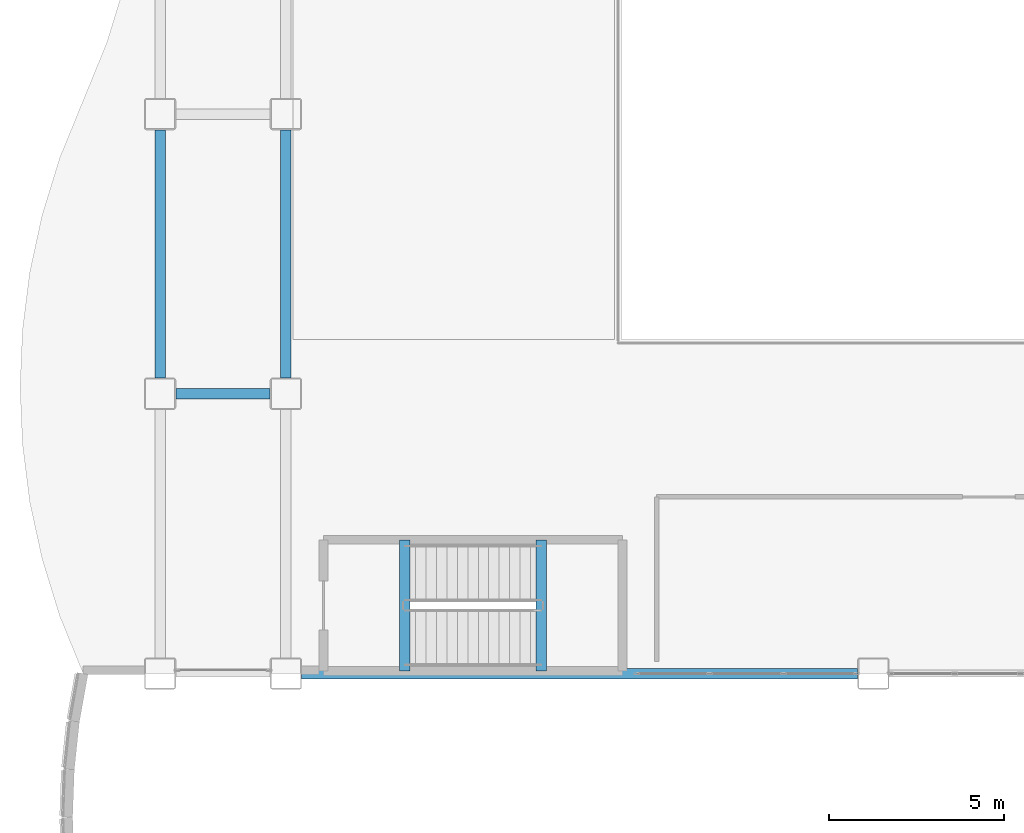
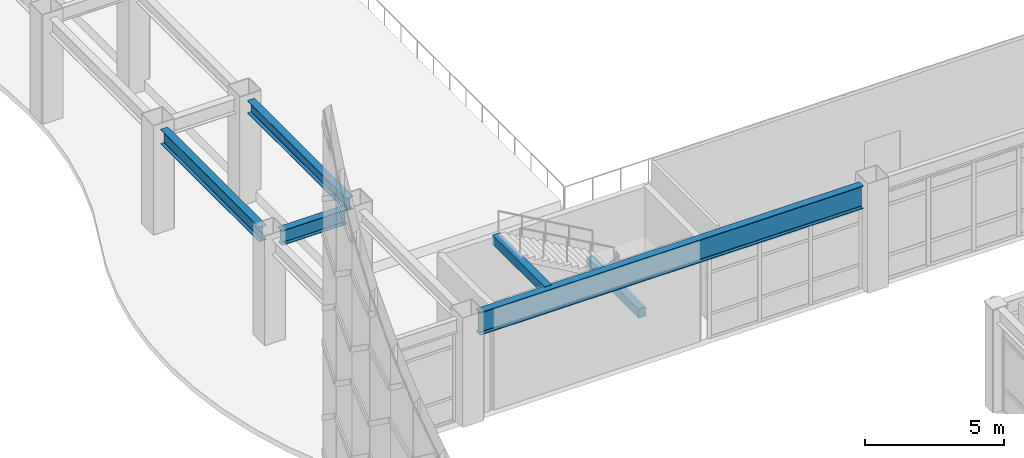
# One storey, part 27 of 172: 6 beams.
"""IFC4 building model written with IfcOpenShell, lengths in metres."""

from ifc_helpers import new_model, si_unit, direction, frame, origin, origin_2d, place, context, subcontext, project, spatial, rectangle, i_section, extrude, material, material_profile, profile_set, type_object, element, save


model = new_model("IFC4")

# Units and contexts
model_context = context("Model", 3, precision=1e-05, world=origin(), true_north=direction((0.0, 1.0)))
body_context = subcontext(model_context, "Body", "Model", "MODEL_VIEW")
ifc_project = project(units=[si_unit("LENGTHUNIT", "METRE"), si_unit("AREAUNIT", "SQUARE_METRE"), si_unit("VOLUMEUNIT", "CUBIC_METRE"), si_unit("PLANEANGLEUNIT", "RADIAN"), si_unit("MASSUNIT", "GRAM", prefix="KILO")], contexts=[model_context])

# Site, building, storey
site_placement = place(None, origin())
site = spatial("IfcSite", under=ifc_project, at=site_placement, CompositionType="ELEMENT")
building_placement = place(site_placement, origin())
building = spatial("IfcBuilding", under=site, at=building_placement, Name="Kazehara Bluff Congress Hotel", CompositionType="ELEMENT")
storey_placement = place(building_placement, frame((0.0, 0.0, 5.39990234375)))
storey = spatial("IfcBuildingStorey", under=building, at=storey_placement, Name="L01", CompositionType="ELEMENT", Elevation=5.39990234375)

# Beams
ifc_material_1 = material(Name="Steel SN490B", Category="steel")
ifc_material_profile_1 = material_profile(ifc_material_1, i_section(OverallWidth=0.300048828125, OverallDepth=0.64990234375, WebThickness=0.011962890625, FlangeThickness=0.02001953125, FilletRadius=0.012939453125, at=origin_2d()))
ifc_profile_set_1 = profile_set([ifc_material_profile_1], Name="Steel SN490B")
beam_type_1 = type_object("IfcBeamType", Name="TP-G-03", PredefinedType="BEAM", material=ifc_profile_set_1)
beam_1_placement = place(storey_placement, frame((4.800048828125, 56.89990234375, 4.22509765625), z_axis=(0.0, 1.0, 0.0), x_axis=(-1.0, 0.0, 0.0)))
element("IfcBeam", 1, at=beam_1_placement, inside=storey, type_object=beam_type_1, Name="L01 girder G-03 2", PredefinedType="BEAM", context=body_context, shape_type="SweptSolid", body=[
    extrude(i_section(OverallWidth=0.300048828125, OverallDepth=0.64990234375, WebThickness=0.011962890625, FlangeThickness=0.02001953125, FilletRadius=0.012939453125, at=origin_2d()), origin(), (0.0, 0.0, 1.0), 7.10009765625),
])
beam_2_placement = place(storey_placement, frame((5.25, 56.449951171875, 4.22509765625), z_axis=(1.0, 0.0, 0.0), x_axis=(0.0, 1.0, 0.0)))
element("IfcBeam", 2, at=beam_2_placement, inside=storey, type_object=beam_type_1, Name="L01 girder G-03 31", PredefinedType="BEAM", context=body_context, shape_type="SweptSolid", body=[
    extrude(i_section(OverallWidth=0.300048828125, OverallDepth=0.64990234375, WebThickness=0.011962890625, FlangeThickness=0.02001953125, FilletRadius=0.012939453125, at=origin_2d()), origin(), (0.0, 0.0, 1.0), 2.699951171875),
])
ifc_material_2 = material(Name="Steel SN490B", Category="steel")
ifc_material_profile_2 = material_profile(ifc_material_2, i_section(OverallWidth=0.300048828125, OverallDepth=1.0, WebThickness=0.01611328125, FlangeThickness=0.028076171875, FilletRadius=0.02197265625, at=origin_2d()))
ifc_profile_set_2 = profile_set([ifc_material_profile_2], Name="Steel SN490B")
beam_type_2 = type_object("IfcBeamType", Name="TP-G-09", PredefinedType="BEAM", material=ifc_profile_set_2)
beam_3_placement = place(storey_placement, frame((8.85009765625, 48.449951171875, 4.050048828125), z_axis=(1.0, 0.0, 0.0), x_axis=(0.0, 1.0, 0.0)))
element("IfcBeam", 3, at=beam_3_placement, inside=storey, type_object=beam_type_2, Name="L01 girder G-09 26", PredefinedType="BEAM", context=body_context, shape_type="SweptSolid", body=[
    extrude(i_section(OverallWidth=0.300048828125, OverallDepth=1.0, WebThickness=0.01611328125, FlangeThickness=0.028076171875, FilletRadius=0.02197265625, at=origin_2d()), origin(), (0.0, 0.0, 1.0), 15.89990234375),
])
ifc_material_3 = material(Name="Concrete C40/50", Category="concrete")
ifc_material_profile_3 = material_profile(ifc_material_3, rectangle(XDim=0.300048828125, YDim=0.39990234375, at=origin_2d()))
ifc_profile_set_3 = profile_set([ifc_material_profile_3], Name="Concrete C40/50")
beam_type_3 = type_object("IfcBeamType", Name="TP-LN-02", PredefinedType="LINTEL", material=ifc_profile_set_3)
for number, where, z_axis, x_axis, name in (
    (4, (15.699951171875, 48.52490234375, 2.02001953125), (0.0, 1.0, 0.0), (-1.0, 0.0, 0.0), "L01 ST-03 half-landing support beam 1"),
    (5, (11.800048828125, 48.52490234375, 4.3701171875), (0.0, 1.0, 0.0), (-1.0, 0.0, 0.0), "L02 ST-03 stairwell trimmer beam"),
):
    element("IfcBeam", number, at=place(storey_placement, frame(where, z_axis=z_axis, x_axis=x_axis)), inside=storey, type_object=beam_type_3, Name=name, PredefinedType="LINTEL", context=body_context, shape_type="SweptSolid", body=[
        extrude(rectangle(XDim=0.300048828125, YDim=0.39990234375, at=origin_2d()), origin(), (0.0, 0.0, 1.0), 3.75),
    ])
ifc_material_4 = material(Name="Steel SN490B", Category="steel")
ifc_material_profile_4 = material_profile(ifc_material_4, i_section(OverallWidth=0.300048828125, OverallDepth=0.550048828125, WebThickness=0.010986328125, FlangeThickness=0.01806640625, FilletRadius=0.012939453125, at=origin_2d()))
ifc_profile_set_4 = profile_set([ifc_material_profile_4], Name="Steel SN490B")
beam_type_4 = type_object("IfcBeamType", Name="TP-SP-01", PredefinedType="SPANDREL", material=ifc_profile_set_4)
beam_4_placement = place(storey_placement, frame((8.39990234375, 56.89990234375, 4.275146484375), z_axis=(0.0, 1.0, 0.0), x_axis=(-1.0, 0.0, 0.0)))
element("IfcBeam", 6, at=beam_4_placement, inside=storey, type_object=beam_type_4, Name="L01 girder SP-01 10", PredefinedType="SPANDREL", context=body_context, shape_type="SweptSolid", body=[
    extrude(i_section(OverallWidth=0.300048828125, OverallDepth=0.550048828125, WebThickness=0.010986328125, FlangeThickness=0.01806640625, FilletRadius=0.012939453125, at=origin_2d()), origin(), (0.0, 0.0, 1.0), 7.10009765625),
])

save(model, "model.ifc")
